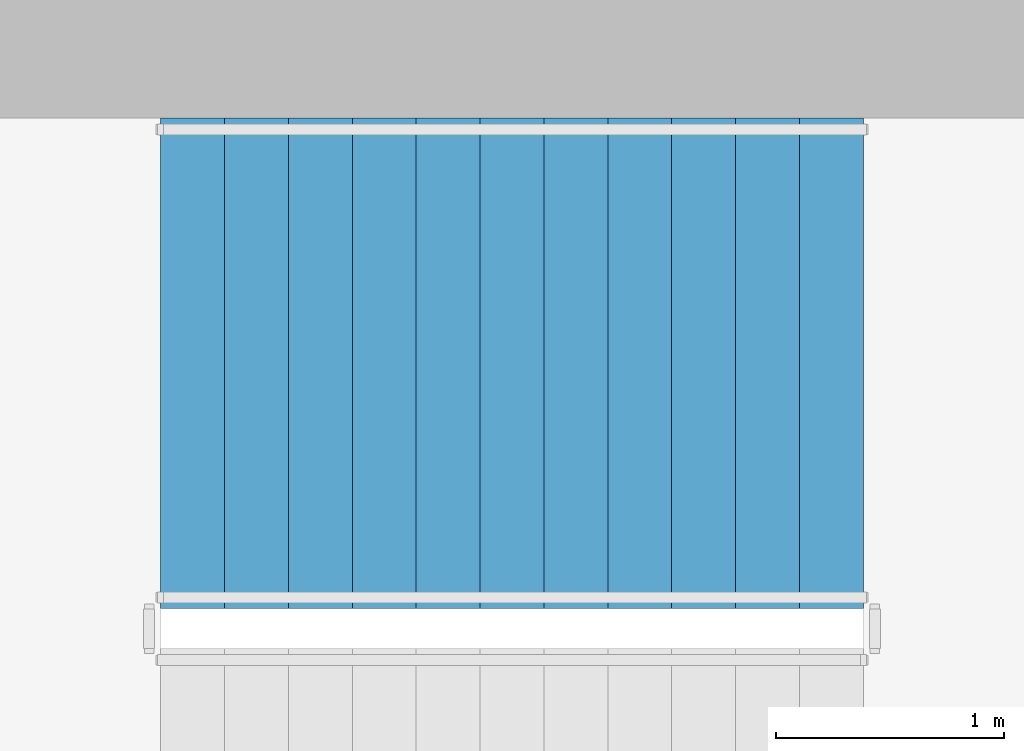
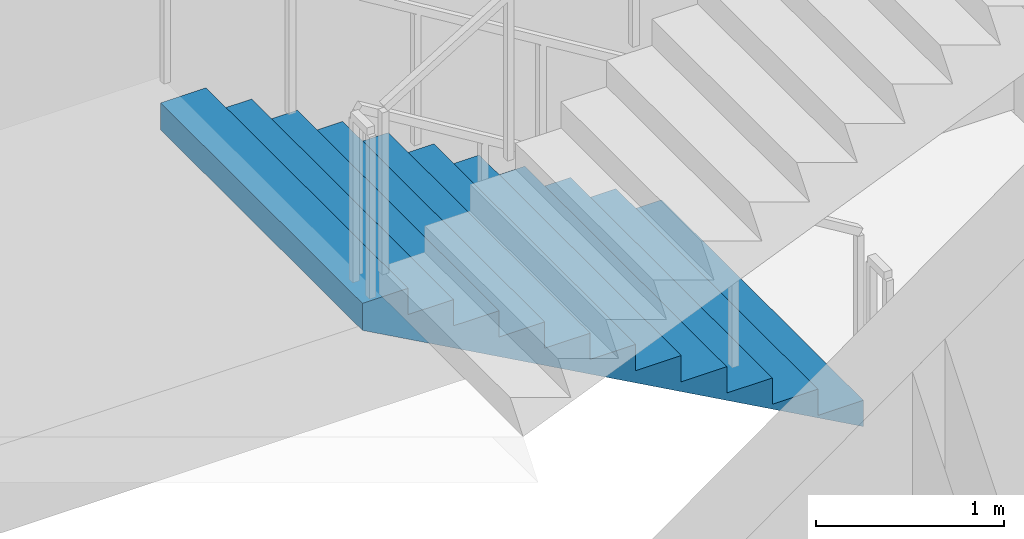
# One storey, part 9 of 14: 1 stair flight, 1 element without a shape of its own.
"""IFC4 building model written with IfcOpenShell, lengths in metres."""

from ifc_helpers import new_model, si_unit, direction, frame, origin, place, context, subcontext, project, spatial, triangles, material, type_object, element, aggregate, save


model = new_model("IFC4")

# Units and contexts
model_context = context("Model", 3, precision=1e-05, world=origin(), true_north=direction((0.0, 1.0)))
body_context = subcontext(model_context, "Body", "Model", "MODEL_VIEW")
ifc_project = project(units=[si_unit("LENGTHUNIT", "METRE"), si_unit("AREAUNIT", "SQUARE_METRE"), si_unit("VOLUMEUNIT", "CUBIC_METRE"), si_unit("PLANEANGLEUNIT", "RADIAN"), si_unit("MASSUNIT", "GRAM", prefix="KILO")], contexts=[model_context])

# Site, building, storey
site_placement = place(None, origin())
site = spatial("IfcSite", under=ifc_project, at=site_placement, CompositionType="ELEMENT")
building_placement = place(site_placement, origin())
building = spatial("IfcBuilding", under=site, at=building_placement, Name="Cypress Arch Tower", CompositionType="ELEMENT")
storey_placement = place(building_placement, frame((0.0, 0.0, 280.300048828125)))
storey = spatial("IfcBuildingStorey", under=building, at=storey_placement, Name="L63", CompositionType="ELEMENT", Elevation=280.300048828125)

# Stair, stair flight
ifc_material_1 = material(Name="Concrete C40/50", Category="concrete")
stair_type = type_object("IfcStairType", Name="Exit stair ES1708-215", PredefinedType="HALF_TURN_STAIR", material=ifc_material_1)
stair_placement = place(storey_placement, origin())
stair = element("IfcStair", 1, at=stair_placement, inside=storey, type_object=stair_type, Name="L63 Exit stair B", PredefinedType="HALF_TURN_STAIR")
ifc_material_2 = material(Name="Concrete C40/50", Category="concrete")
stair_flight_type = type_object("IfcStairFlightType", Name="Exit stair flight ES1708-215", PredefinedType="STRAIGHT", material=ifc_material_2)
stair_flight_placement = place(storey_placement, frame((-22.27490234375, 13.72509765625, 0.0), z_axis=(0.0, 0.0, 1.0), x_axis=(-1.0, 0.0, 0.0)))
stair_flight = element("IfcStairFlight", 2, at=stair_flight_placement, type_object=stair_flight_type, Name="B flight 1", NumberOfRisers=12, NumberOfTreads=11, PredefinedType="STRAIGHT", RiserHeight=0.170833333, TreadLength=0.28, context=body_context, shape_type="Tessellation", body=[
    triangles([(0.0, -1.074951171875, 0.0), (0.000244140625, -1.074951171875, 0.01904296875), (0.000244140625, -1.074951171875, 0.0380859375), (0.00048828125, -1.074951171875, 0.056884765625), (0.00048828125, -1.074951171875, 0.075927734375), (0.00048828125, -1.074951171875, 0.094970703125), (0.00048828125, -1.074951171875, 0.114013671875), (0.000244140625, -1.074951171875, 0.1328125), (0.000244140625, -1.074951171875, 0.15185546875), (0.0, -1.074951171875, 0.1708984375), (0.280029296875, -1.074951171875, 0.1708984375), (0.280029296875, -1.074951171875, 0.341552734375), (0.56005859375, -1.074951171875, 0.341552734375), (0.56005859375, -1.074951171875, 0.512451171875), (0.840087890625, -1.074951171875, 0.512451171875), (0.840087890625, -1.074951171875, 0.683349609375), (1.1201171875, -1.074951171875, 0.683349609375), (1.1201171875, -1.074951171875, 0.854248046875), (1.39990234375, -1.074951171875, 0.854248046875), (1.39990234375, -1.074951171875, 1.02490234375), (1.679931640625, -1.074951171875, 1.02490234375), (1.679931640625, -1.074951171875, 1.19580078125), (1.9599609375, -1.074951171875, 1.19580078125), (1.9599609375, -1.074951171875, 1.36669921875), (2.239990234375, -1.074951171875, 1.36669921875), (2.239990234375, -1.074951171875, 1.53759765625), (2.52001953125, -1.074951171875, 1.53759765625), (2.52001953125, -1.074951171875, 1.708251953125), (2.800048828125, -1.074951171875, 1.708251953125), (2.800048828125, -1.074951171875, 1.879150390625), (3.080078125, -1.074951171875, 1.879150390625), (3.079833984375, -1.074951171875, 1.859619140625), (3.079833984375, -1.074951171875, 1.840087890625), (3.07958984375, -1.074951171875, 1.820556640625), (3.07958984375, -1.074951171875, 1.801025390625), (3.07958984375, -1.074951171875, 1.78173828125), (3.07958984375, -1.074951171875, 1.76220703125), (3.079833984375, -1.074951171875, 1.74267578125), (3.079833984375, -1.074951171875, 1.72314453125), (3.080078125, -1.074951171875, 1.70361328125), (3.080078125, 1.074951171875, 1.70361328125), (3.079833984375, 1.074951171875, 1.72314453125), (3.079833984375, 1.074951171875, 1.74267578125), (3.07958984375, 1.074951171875, 1.76220703125), (3.07958984375, 1.074951171875, 1.78173828125), (3.07958984375, 1.074951171875, 1.801025390625), (3.07958984375, 1.074951171875, 1.820556640625), (3.079833984375, 1.074951171875, 1.840087890625), (3.079833984375, 1.074951171875, 1.859619140625), (3.080078125, 1.074951171875, 1.879150390625), (2.800048828125, 1.074951171875, 1.879150390625), (2.800048828125, 1.074951171875, 1.708251953125), (2.52001953125, 1.074951171875, 1.708251953125), (2.52001953125, 1.074951171875, 1.53759765625), (2.239990234375, 1.074951171875, 1.53759765625), (2.239990234375, 1.074951171875, 1.36669921875), (1.9599609375, 1.074951171875, 1.36669921875), (1.9599609375, 1.074951171875, 1.19580078125), (1.679931640625, 1.074951171875, 1.19580078125), (1.679931640625, 1.074951171875, 1.02490234375), (1.39990234375, 1.074951171875, 1.02490234375), (1.39990234375, 1.074951171875, 0.854248046875), (1.1201171875, 1.074951171875, 0.854248046875), (1.1201171875, 1.074951171875, 0.683349609375), (0.840087890625, 1.074951171875, 0.683349609375), (0.840087890625, 1.074951171875, 0.512451171875), (0.56005859375, 1.074951171875, 0.512451171875), (0.56005859375, 1.074951171875, 0.341552734375), (0.280029296875, 1.074951171875, 0.341552734375), (0.280029296875, 1.074951171875, 0.1708984375), (0.0, 1.074951171875, 0.1708984375), (0.000244140625, 1.074951171875, 0.15185546875), (0.000244140625, 1.074951171875, 0.1328125), (0.00048828125, 1.074951171875, 0.114013671875), (0.00048828125, 1.074951171875, 0.094970703125), (0.00048828125, 1.074951171875, 0.075927734375), (0.00048828125, 1.074951171875, 0.056884765625), (0.000244140625, 1.074951171875, 0.0380859375), (0.000244140625, 1.074951171875, 0.01904296875), (0.0, 1.074951171875, 0.0)], [[40, 39, 30], [39, 38, 30], [38, 37, 30], [37, 36, 30], [36, 35, 30], [35, 34, 30], [34, 33, 30], [33, 32, 30], [32, 31, 30], [19, 18, 17], [27, 26, 25], [25, 24, 23], [23, 22, 21], [17, 16, 15], [15, 14, 13], [10, 9, 11], [9, 8, 11], [8, 7, 11], [7, 6, 11], [6, 5, 11], [5, 4, 11], [4, 3, 11], [3, 2, 11], [2, 1, 11], [29, 28, 27], [21, 20, 19], [13, 12, 11], [40, 30, 29], [40, 29, 27], [40, 27, 25], [40, 25, 23], [40, 23, 21], [40, 21, 19], [40, 19, 17], [40, 17, 15], [40, 15, 13], [1, 40, 13], [13, 11, 1], [41, 51, 42], [42, 51, 43], [43, 51, 44], [44, 51, 45], [45, 51, 46], [46, 51, 47], [47, 51, 48], [48, 51, 49], [49, 51, 50], [62, 64, 63], [54, 56, 55], [56, 58, 57], [58, 60, 59], [64, 66, 65], [66, 68, 67], [71, 70, 72], [72, 70, 73], [73, 70, 74], [74, 70, 75], [75, 70, 76], [76, 70, 77], [77, 70, 78], [78, 70, 79], [79, 70, 80], [52, 54, 53], [60, 62, 61], [68, 70, 69], [41, 52, 51], [41, 54, 52], [41, 56, 54], [41, 58, 56], [41, 60, 58], [41, 62, 60], [41, 64, 62], [41, 66, 64], [41, 68, 66], [80, 68, 41], [68, 80, 70], [41, 42, 39], [41, 39, 40], [42, 43, 38], [42, 38, 39], [43, 44, 37], [43, 37, 38], [44, 45, 36], [44, 36, 37], [45, 46, 35], [45, 35, 36], [46, 47, 34], [46, 34, 35], [47, 48, 33], [47, 33, 34], [48, 49, 32], [48, 32, 33], [49, 50, 31], [49, 31, 32], [50, 51, 30], [50, 30, 31], [51, 52, 29], [51, 29, 30], [52, 53, 28], [52, 28, 29], [53, 54, 27], [53, 27, 28], [54, 55, 26], [54, 26, 27], [55, 56, 25], [55, 25, 26], [56, 57, 24], [56, 24, 25], [57, 58, 23], [57, 23, 24], [58, 59, 22], [58, 22, 23], [59, 60, 21], [59, 21, 22], [60, 61, 20], [60, 20, 21], [61, 62, 19], [61, 19, 20], [62, 63, 18], [62, 18, 19], [63, 64, 17], [63, 17, 18], [64, 65, 16], [64, 16, 17], [65, 66, 15], [65, 15, 16], [66, 67, 14], [66, 14, 15], [67, 68, 13], [67, 13, 14], [68, 69, 12], [68, 12, 13], [69, 70, 11], [69, 11, 12], [70, 71, 10], [70, 10, 11], [71, 72, 9], [71, 9, 10], [72, 73, 8], [72, 8, 9], [73, 74, 7], [73, 7, 8], [74, 75, 6], [74, 6, 7], [75, 76, 5], [75, 5, 6], [76, 77, 4], [76, 4, 5], [77, 78, 3], [77, 3, 4], [78, 79, 2], [78, 2, 3], [79, 80, 1], [79, 1, 2], [80, 41, 40], [80, 40, 1]], closed=True),
])
aggregate(stair, [stair_flight])

save(model, "model.ifc")
